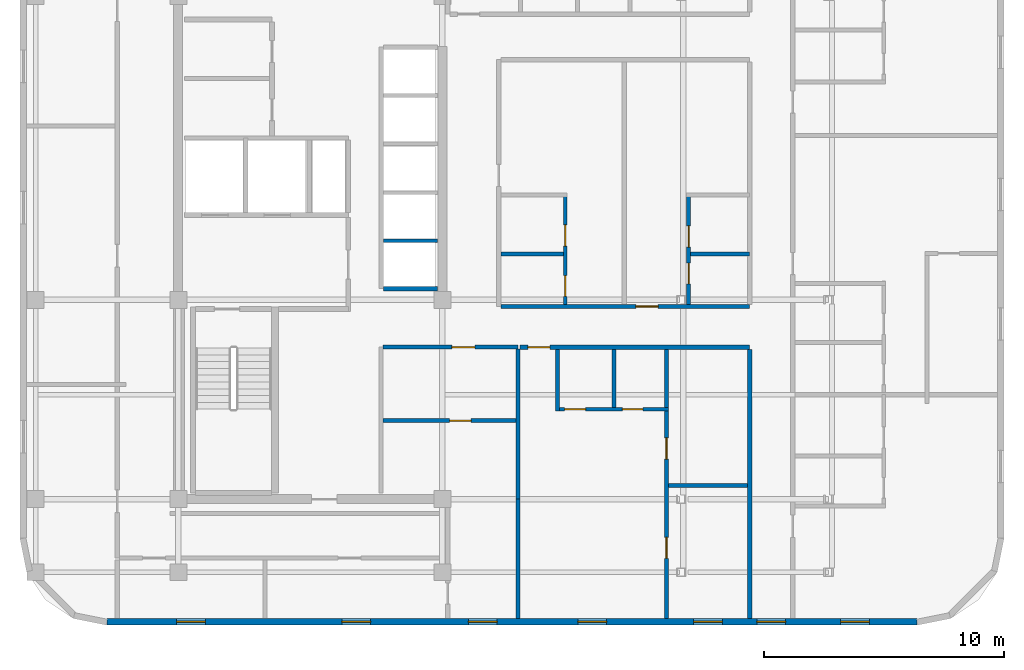
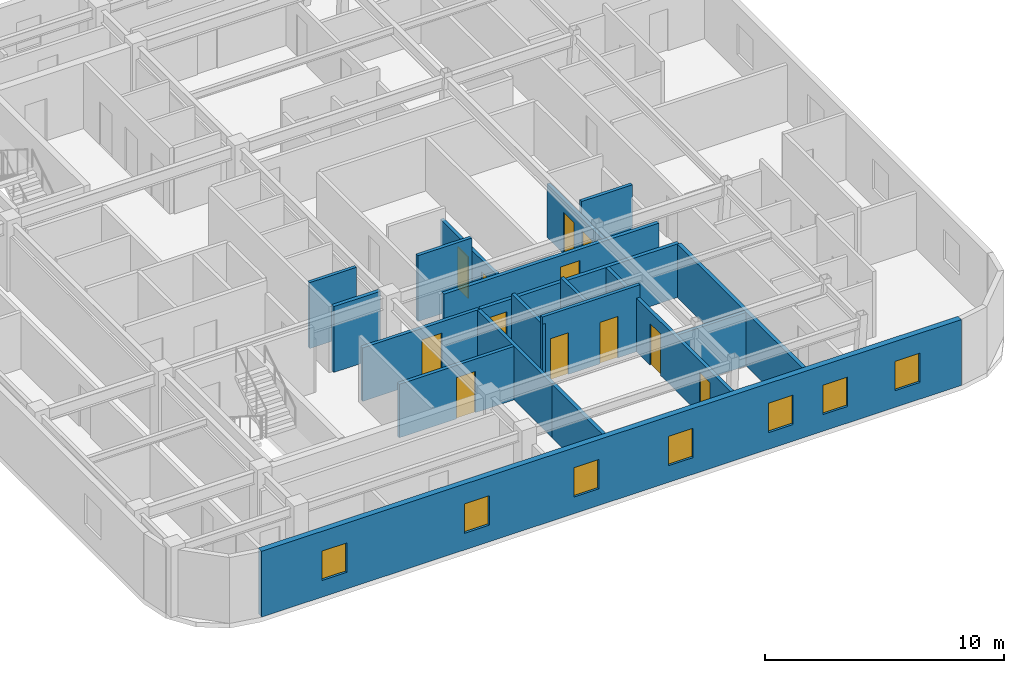
# One storey, part 3 of 8: 19 walls, 12 doors, 7 windows, 19 openings.
"""IFC4 building model written with IfcOpenShell, lengths in metres."""

from ifc_helpers import new_model, si_unit, direction, frame, frame_2d, origin, place, context, subcontext, project, spatial, rectangle, extrude, material, layer, layer_set, type_object, element, fill, save


model = new_model("IFC4")

# Units and contexts
model_context = context("Model", 3, precision=1e-05, world=origin(), true_north=direction((0.0, 1.0)))
body_context = subcontext(model_context, "Body", "Model", "MODEL_VIEW")
ifc_project = project(units=[si_unit("LENGTHUNIT", "METRE"), si_unit("AREAUNIT", "SQUARE_METRE"), si_unit("VOLUMEUNIT", "CUBIC_METRE"), si_unit("PLANEANGLEUNIT", "RADIAN"), si_unit("MASSUNIT", "GRAM", prefix="KILO")], contexts=[model_context])

# Site, building, storey
site_placement = place(None, origin())
site = spatial("IfcSite", under=ifc_project, at=site_placement, CompositionType="ELEMENT")
building_placement = place(site_placement, origin())
building = spatial("IfcBuilding", under=site, at=building_placement, Name="Ochreholt Gables", CompositionType="ELEMENT")
storey_placement = place(building_placement, frame((0.0, 0.0, 148.199951171875)))
storey = spatial("IfcBuildingStorey", under=building, at=storey_placement, Name="L38", CompositionType="ELEMENT", Elevation=148.199951171875)

# Wall, openings, windows
ifc_material_1 = material(Name="Precast concrete 40 MPa", Category="concrete")
ifc_layer_1 = layer(ifc_material_1, 0.280029296875, Name="Precast concrete 40 MPa")
ifc_layer_set_1 = layer_set([ifc_layer_1], Name="Precast concrete 40 MPa")
wall_type_1 = type_object("IfcWallType", Name="WALL-EXT-280", PredefinedType="SOLIDWALL", material=ifc_layer_set_1)
wall_1_placement = place(storey_placement, frame((21.219970703125, 4.139892578125, 0.0), z_axis=(0.0, 0.0, 1.0), x_axis=(1.0, 0.0, 0.0)))
wall_1 = element("IfcWall", 1, at=wall_1_placement, inside=storey, type_object=wall_type_1, Name="L38 South Exterior Wall", PredefinedType="SOLIDWALL", context=body_context, shape_type="SweptSolid", body=[
    extrude(rectangle(XDim=33.760009765625, YDim=0.280029296875, at=frame_2d((16.8798828125, 0.0))), origin(), (0.0, 0.0, 1.0), 3.360107421875),
])
opening_1_placement = place(wall_1_placement, frame((2.905029296875, 0.0, 0.85009765625)))
opening_1 = element("IfcOpeningElement", 2, at=opening_1_placement, cuts=wall_1, Name="Opening WN-3", PredefinedType="OPENING", context=body_context, shape_type="SweptSolid", body=[
    extrude(rectangle(XDim=1.199951171875, YDim=1.5, at=frame_2d((0.60009765625, 0.75))), frame((0.0, 0.14990234375, 0.0), z_axis=(0.0, -1.0, 0.0), x_axis=(1.0, 0.0, 0.0)), (0.0, 0.0, 1.0), 0.300048828125),
])
opening_2_placement = place(wall_1_placement, frame((9.7900390625, 0.0, 0.85009765625)))
opening_2 = element("IfcOpeningElement", 3, at=opening_2_placement, cuts=wall_1, Name="Opening WN-3", PredefinedType="OPENING", context=body_context, shape_type="SweptSolid", body=[
    extrude(rectangle(XDim=1.199951171875, YDim=1.5, at=frame_2d((0.60009765625, 0.75))), frame((0.0, 0.14990234375, 0.0), z_axis=(0.0, -1.0, 0.0), x_axis=(1.0, 0.0, 0.0)), (0.0, 0.0, 1.0), 0.300048828125),
])
opening_3_placement = place(wall_1_placement, frame((15.06494140625, 0.0, 0.85009765625)))
opening_3 = element("IfcOpeningElement", 4, at=opening_3_placement, cuts=wall_1, Name="Opening WN-3", PredefinedType="OPENING", context=body_context, shape_type="SweptSolid", body=[
    extrude(rectangle(XDim=1.199951171875, YDim=1.5, at=frame_2d((0.60009765625, 0.75))), frame((0.0, 0.14990234375, 0.0), z_axis=(0.0, -1.0, 0.0), x_axis=(1.0, 0.0, 0.0)), (0.0, 0.0, 1.0), 0.300048828125),
])
opening_4_placement = place(wall_1_placement, frame((19.625, 0.0, 0.85009765625)))
opening_4 = element("IfcOpeningElement", 5, at=opening_4_placement, cuts=wall_1, Name="Opening WN-3", PredefinedType="OPENING", context=body_context, shape_type="SweptSolid", body=[
    extrude(rectangle(XDim=1.199951171875, YDim=1.5, at=frame_2d((0.60009765625, 0.75))), frame((0.0, 0.14990234375, 0.0), z_axis=(0.0, -1.0, 0.0), x_axis=(1.0, 0.0, 0.0)), (0.0, 0.0, 1.0), 0.300048828125),
])
opening_5_placement = place(wall_1_placement, frame((24.449951171875, 0.0, 0.85009765625)))
opening_5 = element("IfcOpeningElement", 6, at=opening_5_placement, cuts=wall_1, Name="Opening WN-3", PredefinedType="OPENING", context=body_context, shape_type="SweptSolid", body=[
    extrude(rectangle(XDim=1.199951171875, YDim=1.5, at=frame_2d((0.60009765625, 0.75))), frame((0.0, 0.14990234375, 0.0), z_axis=(0.0, -1.0, 0.0), x_axis=(1.0, 0.0, 0.0)), (0.0, 0.0, 1.0), 0.300048828125),
])
opening_6_placement = place(wall_1_placement, frame((27.080078125, 0.0, 0.85009765625)))
opening_6 = element("IfcOpeningElement", 7, at=opening_6_placement, cuts=wall_1, Name="Opening WN-3", PredefinedType="OPENING", context=body_context, shape_type="SweptSolid", body=[
    extrude(rectangle(XDim=1.199951171875, YDim=1.5, at=frame_2d((0.60009765625, 0.75))), frame((0.0, 0.14990234375, 0.0), z_axis=(0.0, -1.0, 0.0), x_axis=(1.0, 0.0, 0.0)), (0.0, 0.0, 1.0), 0.300048828125),
])
opening_7_placement = place(wall_1_placement, frame((30.570068359375, 0.0, 0.85009765625)))
opening_7 = element("IfcOpeningElement", 8, at=opening_7_placement, cuts=wall_1, Name="Opening WN-3", PredefinedType="OPENING", context=body_context, shape_type="SweptSolid", body=[
    extrude(rectangle(XDim=1.199951171875, YDim=1.5, at=frame_2d((0.60009765625, 0.75))), frame((0.0, 0.14990234375, 0.0), z_axis=(0.0, -1.0, 0.0), x_axis=(1.0, 0.0, 0.0)), (0.0, 0.0, 1.0), 0.300048828125),
])
ifc_material_2 = material(Name="Triple-Glazed Thermally Broken Aluminium Window", Category="aluminium")
window_type = type_object("IfcWindowType", Name="WIN-RES-1200", PartitioningType="SINGLE_PANEL", PredefinedType="WINDOW", material=ifc_material_2)
window_1_placement = place(opening_1_placement, origin())
window_1 = element("IfcWindow", 9, at=window_1_placement, inside=storey, type_object=window_type, Name="L38 Window W-EXT-S-L38-1", OverallHeight=1.5, OverallWidth=1.199951171875, PartitioningType="SINGLE_PANEL", PredefinedType="WINDOW", context=body_context, shape_type="SweptSolid", body=[
    extrude(rectangle(XDim=1.199951171875, YDim=1.5, at=frame_2d((0.60009765625, 0.75))), frame((0.0, 0.030029296875, 0.0), z_axis=(0.0, -1.0, 0.0), x_axis=(1.0, 0.0, 0.0)), (0.0, 0.0, 1.0), 0.06005859375),
])
fill(opening_1, window_1)
window_2_placement = place(opening_2_placement, origin())
window_2 = element("IfcWindow", 10, at=window_2_placement, inside=storey, type_object=window_type, Name="L38 Window W-EXT-S-L38-2", OverallHeight=1.5, OverallWidth=1.199951171875, PartitioningType="SINGLE_PANEL", PredefinedType="WINDOW", context=body_context, shape_type="SweptSolid", body=[
    extrude(rectangle(XDim=1.199951171875, YDim=1.5, at=frame_2d((0.60009765625, 0.75))), frame((0.0, 0.030029296875, 0.0), z_axis=(0.0, -1.0, 0.0), x_axis=(1.0, 0.0, 0.0)), (0.0, 0.0, 1.0), 0.06005859375),
])
fill(opening_2, window_2)
window_3_placement = place(opening_3_placement, origin())
window_3 = element("IfcWindow", 11, at=window_3_placement, inside=storey, type_object=window_type, Name="L38 Window W-EXT-S-L38-3", OverallHeight=1.5, OverallWidth=1.199951171875, PartitioningType="SINGLE_PANEL", PredefinedType="WINDOW", context=body_context, shape_type="SweptSolid", body=[
    extrude(rectangle(XDim=1.199951171875, YDim=1.5, at=frame_2d((0.60009765625, 0.75))), frame((0.0, 0.030029296875, 0.0), z_axis=(0.0, -1.0, 0.0), x_axis=(1.0, 0.0, 0.0)), (0.0, 0.0, 1.0), 0.06005859375),
])
fill(opening_3, window_3)
window_4_placement = place(opening_4_placement, origin())
window_4 = element("IfcWindow", 12, at=window_4_placement, inside=storey, type_object=window_type, Name="L38 Window W-EXT-S-L38-4", OverallHeight=1.5, OverallWidth=1.199951171875, PartitioningType="SINGLE_PANEL", PredefinedType="WINDOW", context=body_context, shape_type="SweptSolid", body=[
    extrude(rectangle(XDim=1.199951171875, YDim=1.5, at=frame_2d((0.60009765625, 0.75))), frame((0.0, 0.030029296875, 0.0), z_axis=(0.0, -1.0, 0.0), x_axis=(1.0, 0.0, 0.0)), (0.0, 0.0, 1.0), 0.06005859375),
])
fill(opening_4, window_4)
window_5_placement = place(opening_5_placement, origin())
window_5 = element("IfcWindow", 13, at=window_5_placement, inside=storey, type_object=window_type, Name="L38 Window W-EXT-S-L38-5", OverallHeight=1.5, OverallWidth=1.199951171875, PartitioningType="SINGLE_PANEL", PredefinedType="WINDOW", context=body_context, shape_type="SweptSolid", body=[
    extrude(rectangle(XDim=1.199951171875, YDim=1.5, at=frame_2d((0.60009765625, 0.75))), frame((0.0, 0.030029296875, 0.0), z_axis=(0.0, -1.0, 0.0), x_axis=(1.0, 0.0, 0.0)), (0.0, 0.0, 1.0), 0.06005859375),
])
fill(opening_5, window_5)
window_6_placement = place(opening_6_placement, origin())
window_6 = element("IfcWindow", 14, at=window_6_placement, inside=storey, type_object=window_type, Name="L38 Window W-EXT-S-L38-6", OverallHeight=1.5, OverallWidth=1.199951171875, PartitioningType="SINGLE_PANEL", PredefinedType="WINDOW", context=body_context, shape_type="SweptSolid", body=[
    extrude(rectangle(XDim=1.199951171875, YDim=1.5, at=frame_2d((0.60009765625, 0.75))), frame((0.0, 0.030029296875, 0.0), z_axis=(0.0, -1.0, 0.0), x_axis=(1.0, 0.0, 0.0)), (0.0, 0.0, 1.0), 0.06005859375),
])
fill(opening_6, window_6)
window_7_placement = place(opening_7_placement, origin())
window_7 = element("IfcWindow", 15, at=window_7_placement, inside=storey, type_object=window_type, Name="L38 Window W-EXT-S-L38-7", OverallHeight=1.5, OverallWidth=1.199951171875, PartitioningType="SINGLE_PANEL", PredefinedType="WINDOW", context=body_context, shape_type="SweptSolid", body=[
    extrude(rectangle(XDim=1.199951171875, YDim=1.5, at=frame_2d((0.60009765625, 0.75))), frame((0.0, 0.030029296875, 0.0), z_axis=(0.0, -1.0, 0.0), x_axis=(1.0, 0.0, 0.0)), (0.0, 0.0, 1.0), 0.06005859375),
])
fill(opening_7, window_7)

# Wall, opening, door
ifc_material_3 = material(Name="Fire-Rated Gypsum Acoustic Partition", Category="gypsum")
ifc_layer_2 = layer(ifc_material_3, 0.179931640625, Name="Fire-Rated Gypsum Acoustic Partition")
ifc_layer_set_2 = layer_set([ifc_layer_2], Name="Fire-Rated Gypsum Acoustic Partition")
wall_type_2 = type_object("IfcWallType", Name="WALL-INT-CR180", PredefinedType="STANDARD", material=ifc_layer_set_2)
wall_2_placement = place(storey_placement, frame((38.4326171875, 15.580078125, 0.0), z_axis=(0.0, 0.0, 1.0), x_axis=(1.0, 0.0, 0.0)))
wall_2 = element("IfcWall", 16, at=wall_2_placement, inside=storey, type_object=wall_type_2, Name="L38 Interior Wall WI-C2SS1-L38", PredefinedType="STANDARD", context=body_context, shape_type="SweptSolid", body=[
    extrude(rectangle(XDim=9.5673828125, YDim=0.179931640625, at=frame_2d((4.78369140625, 0.0))), origin(), (0.0, 0.0, 1.0), 2.72998046875),
])
opening_8_placement = place(wall_2_placement, frame((0.327392578125, 0.0, 0.0)))
opening_8 = element("IfcOpeningElement", 17, at=opening_8_placement, cuts=wall_2, Name="Opening D-UN1", PredefinedType="OPENING", context=body_context, shape_type="SweptSolid", body=[
    extrude(rectangle(XDim=0.919921875, YDim=2.14990234375, at=frame_2d((0.4599609375, 1.074951171875))), frame((0.0, 0.099853515625, 0.0), z_axis=(0.0, -1.0, 0.0), x_axis=(1.0, 0.0, 0.0)), (0.0, 0.0, 1.0), 0.199951171875),
])
ifc_material_4 = material(Name="Engineered Oak Timber", Category="wood")
door_type_1 = type_object("IfcDoorType", Name="DR-INT-UNT920", OperationType="NOTDEFINED", PredefinedType="DOOR", material=ifc_material_4)
door_1_placement = place(opening_8_placement, origin())
door_1 = element("IfcDoor", 18, at=door_1_placement, inside=storey, type_object=door_type_1, Name="L38 Door D-U-L38S1-ENT", OperationType="SINGLE_SWING_RIGHT", OverallHeight=2.14990234375, OverallWidth=0.919921875, PredefinedType="DOOR", context=body_context, shape_type="SweptSolid", body=[
    extrude(rectangle(XDim=0.919921875, YDim=2.14990234375, at=frame_2d((0.4599609375, 1.074951171875))), frame((0.0, 0.02490234375, 0.0), z_axis=(0.0, -1.0, 0.0), x_axis=(1.0, 0.0, 0.0)), (0.0, 0.0, 1.0), 0.050048828125),
])
fill(opening_8, door_1)

wall_3_placement = place(storey_placement, frame((37.639892578125, 17.280029296875, 0.0), z_axis=(0.0, 0.0, 1.0), x_axis=(1.0, 0.0, 0.0)))
wall_3 = element("IfcWall", 19, at=wall_3_placement, inside=storey, type_object=wall_type_2, Name="L38 Interior Wall WI-C2SS2-L38", PredefinedType="STANDARD", context=body_context, shape_type="SweptSolid", body=[
    extrude(rectangle(XDim=10.360107421875, YDim=0.179931640625, at=frame_2d((5.18017578125, 0.0))), origin(), (0.0, 0.0, 1.0), 2.72998046875),
])
opening_9_placement = place(wall_3_placement, frame((5.625, 0.0, 0.0)))
opening_9 = element("IfcOpeningElement", 20, at=opening_9_placement, cuts=wall_3, Name="Opening D-UN1", PredefinedType="OPENING", context=body_context, shape_type="SweptSolid", body=[
    extrude(rectangle(XDim=0.919921875, YDim=2.14990234375, at=frame_2d((0.4599609375, 1.074951171875))), frame((0.0, 0.099853515625, 0.0), z_axis=(0.0, -1.0, 0.0), x_axis=(1.0, 0.0, 0.0)), (0.0, 0.0, 1.0), 0.199951171875),
])
door_2_placement = place(opening_9_placement, origin())
door_2 = element("IfcDoor", 21, at=door_2_placement, inside=storey, type_object=door_type_1, Name="L38 Door D-U-L38M2-ENT", OperationType="SINGLE_SWING_LEFT", OverallHeight=2.14990234375, OverallWidth=0.919921875, PredefinedType="DOOR", context=body_context, shape_type="SweptSolid", body=[
    extrude(rectangle(XDim=0.919921875, YDim=2.14990234375, at=frame_2d((0.4599609375, 1.074951171875))), frame((0.0, 0.02490234375, 0.0), z_axis=(0.0, -1.0, 0.0), x_axis=(1.0, 0.0, 0.0)), (0.0, 0.0, 1.0), 0.050048828125),
])
fill(opening_9, door_2)

# Walls
wall_4_placement = place(storey_placement, frame((48.0, 4.280029296875, 0.0), z_axis=(0.0, 0.0, 1.0), x_axis=(0.0, 1.0, 0.0)))
element("IfcWall", 22, at=wall_4_placement, inside=storey, type_object=wall_type_2, Name="L38 Interior Wall WI-C2FEGW1-L38", PredefinedType="STANDARD", context=body_context, shape_type="SweptSolid", body=[
    extrude(rectangle(XDim=11.2099609375, YDim=0.179931640625, at=frame_2d((5.60498046875, 0.0))), origin(), (0.0, 0.0, 1.0), 2.72998046875),
])
ifc_material_5 = material(Name="Double-Stud Acoustic Demising Wall", Category="gypsum")
ifc_layer_3 = layer(ifc_material_5, 0.179931640625, Name="Double-Stud Acoustic Demising Wall")
ifc_layer_set_3 = layer_set([ifc_layer_3], Name="Double-Stud Acoustic Demising Wall")
wall_type_3 = type_object("IfcWallType", Name="WALL-INT-DM180", PredefinedType="PARTITIONING", material=ifc_layer_set_3)
wall_5_placement = place(storey_placement, frame((38.35009765625, 4.280029296875, 0.0), z_axis=(0.0, 0.0, 1.0), x_axis=(0.0, 1.0, 0.0)))
element("IfcWall", 23, at=wall_5_placement, inside=storey, type_object=wall_type_3, Name="L38 Interior Wall WI-C2SEW2-L38", PredefinedType="PARTITIONING", context=body_context, shape_type="SweptSolid", body=[
    extrude(rectangle(XDim=4.969970703125, YDim=0.179931640625, at=frame_2d((2.48486328125, 0.0))), origin(), (0.0, 0.0, 1.0), 2.72998046875),
])

# Wall, openings, doors
ifc_material_6 = material(Name="Moisture-Resistant Plumbing Chase Wall", Category="gypsum")
ifc_layer_4 = layer(ifc_material_6, 0.159912109375, Name="Moisture-Resistant Plumbing Chase Wall")
ifc_layer_set_4 = layer_set([ifc_layer_4], Name="Moisture-Resistant Plumbing Chase Wall")
wall_type_4 = type_object("IfcWallType", Name="WALL-INT-PL160", PredefinedType="PLUMBINGWALL", material=ifc_layer_set_4)
wall_6_placement = place(storey_placement, frame((39.909912109375, 12.992431640625, 0.0), z_axis=(0.0, 0.0, 1.0), x_axis=(1.0, 0.0, 0.0)))
wall_6 = element("IfcWall", 24, at=wall_6_placement, inside=storey, type_object=wall_type_4, Name="L38 Interior Wall WU-L38S1-WY", PredefinedType="PLUMBINGWALL", context=body_context, shape_type="SweptSolid", body=[
    extrude(rectangle(XDim=4.710205078125, YDim=0.159912109375, at=frame_2d((2.35498046875, 0.0))), origin(), (0.0, 0.0, 1.0), 3.360107421875),
])
opening_10_placement = place(wall_6_placement, frame((0.3798828125, 0.0, 0.0)))
opening_10 = element("IfcOpeningElement", 25, at=opening_10_placement, cuts=wall_6, Name="Opening D-GN2", PredefinedType="OPENING", context=body_context, shape_type="SweptSolid", body=[
    extrude(rectangle(XDim=0.8798828125, YDim=2.1201171875, at=frame_2d((0.43994140625, 1.06005859375))), frame((0.0, 0.08984375, 0.0), z_axis=(0.0, -1.0, 0.0), x_axis=(1.0, 0.0, 0.0)), (0.0, 0.0, 1.0), 0.179931640625),
])
opening_11_placement = place(wall_6_placement, frame((2.785888671875, 0.0, 0.0)))
opening_11 = element("IfcOpeningElement", 26, at=opening_11_placement, cuts=wall_6, Name="Opening D-BT1", PredefinedType="OPENING", context=body_context, shape_type="SweptSolid", body=[
    extrude(rectangle(XDim=0.860107421875, YDim=2.1201171875, at=frame_2d((0.43017578125, 1.06005859375))), frame((0.0, 0.08984375, 0.0), z_axis=(0.0, -1.0, 0.0), x_axis=(1.0, 0.0, 0.0)), (0.0, 0.0, 1.0), 0.179931640625),
])
door_type_2 = type_object("IfcDoorType", Name="DR-INT-BTH860", OperationType="NOTDEFINED", PredefinedType="DOOR", material=ifc_material_4)
door_3_placement = place(opening_11_placement, origin())
door_3 = element("IfcDoor", 27, at=door_3_placement, inside=storey, type_object=door_type_2, Name="L38 Door D-U-L38S1-BTH", OperationType="SINGLE_SWING_RIGHT", OverallHeight=2.1201171875, OverallWidth=0.860107421875, PredefinedType="DOOR", context=body_context, shape_type="SweptSolid", body=[
    extrude(rectangle(XDim=0.860107421875, YDim=2.1201171875, at=frame_2d((0.43017578125, 1.06005859375))), frame((0.0, 0.02490234375, 0.0), z_axis=(0.0, -1.0, 0.0), x_axis=(1.0, 0.0, 0.0)), (0.0, 0.0, 1.0), 0.050048828125),
])
fill(opening_11, door_3)
door_type_3 = type_object("IfcDoorType", Name="DR-INT-GEN880", OperationType="NOTDEFINED", PredefinedType="DOOR", material=ifc_material_4)
door_4_placement = place(opening_10_placement, origin())
door_4 = element("IfcDoor", 28, at=door_4_placement, inside=storey, type_object=door_type_3, Name="L38 Door D-U-L38S1-KIT", OperationType="SINGLE_SWING_LEFT", OverallHeight=2.1201171875, OverallWidth=0.8798828125, PredefinedType="DOOR", context=body_context, shape_type="SweptSolid", body=[
    extrude(rectangle(XDim=0.8798828125, YDim=2.1201171875, at=frame_2d((0.43994140625, 1.06005859375))), frame((0.0, 0.02490234375, 0.0), z_axis=(0.0, -1.0, 0.0), x_axis=(1.0, 0.0, 0.0)), (0.0, 0.0, 1.0), 0.050048828125),
])
fill(opening_10, door_4)

# Walls
wall_7_placement = place(storey_placement, frame((39.989990234375, 12.91259765625, 0.0), z_axis=(0.0, 0.0, 1.0), x_axis=(0.0, 1.0, 0.0)))
element("IfcWall", 29, at=wall_7_placement, inside=storey, type_object=wall_type_4, Name="L38 Interior Wall WU-L38S1-FY", PredefinedType="PLUMBINGWALL", context=body_context, shape_type="SweptSolid", body=[
    extrude(rectangle(XDim=2.577392578125, YDim=0.159912109375, at=frame_2d((1.28857421875, 0.0))), origin(), (0.0, 0.0, 1.0), 2.984130859375),
])
wall_8_placement = place(storey_placement, frame((42.35595703125, 13.072509765625, 0.0), z_axis=(0.0, 0.0, 1.0), x_axis=(0.0, 1.0, 0.0)))
element("IfcWall", 30, at=wall_8_placement, inside=storey, type_object=wall_type_4, Name="L38 Interior Wall WU-L38S1-WK", PredefinedType="PLUMBINGWALL", context=body_context, shape_type="SweptSolid", body=[
    extrude(rectangle(XDim=2.41748046875, YDim=0.159912109375, at=frame_2d((1.208740234375, 0.0))), origin(), (0.0, 0.0, 1.0), 2.984130859375),
])

# Wall, openings, doors
wall_9_placement = place(storey_placement, frame((40.318115234375, 17.3701171875, 0.0), z_axis=(0.0, 0.0, 1.0), x_axis=(0.0, 1.0, 0.0)))
wall_9 = element("IfcWall", 31, at=wall_9_placement, inside=storey, type_object=wall_type_4, Name="L38 Interior Wall WU-L38M1-WX", PredefinedType="PLUMBINGWALL", context=body_context, shape_type="SweptSolid", body=[
    extrude(rectangle(XDim=4.639892578125, YDim=0.159912109375, at=frame_2d((2.31982421875, 0.0))), origin(), (0.0, 0.0, 1.0), 2.72998046875),
])
opening_12_placement = place(wall_9_placement, frame((0.330078125, 0.0, 0.0)))
opening_12 = element("IfcOpeningElement", 32, at=opening_12_placement, cuts=wall_9, Name="Opening D-BT1", PredefinedType="OPENING", context=body_context, shape_type="SweptSolid", body=[
    extrude(rectangle(XDim=0.860107421875, YDim=2.1201171875, at=frame_2d((0.43017578125, 1.06005859375))), frame((0.0, 0.08984375, 0.0), z_axis=(0.0, -1.0, 0.0), x_axis=(1.0, 0.0, 0.0)), (0.0, 0.0, 1.0), 0.179931640625),
])
opening_13_placement = place(wall_9_placement, frame((2.423095703125, 0.0, 0.0)))
opening_13 = element("IfcOpeningElement", 33, at=opening_13_placement, cuts=wall_9, Name="Opening D-GN2", PredefinedType="OPENING", context=body_context, shape_type="SweptSolid", body=[
    extrude(rectangle(XDim=0.8798828125, YDim=2.1201171875, at=frame_2d((0.43994140625, 1.06005859375))), frame((0.0, 0.08984375, 0.0), z_axis=(0.0, -1.0, 0.0), x_axis=(1.0, 0.0, 0.0)), (0.0, 0.0, 1.0), 0.179931640625),
])
door_5_placement = place(opening_12_placement, origin())
door_5 = element("IfcDoor", 34, at=door_5_placement, inside=storey, type_object=door_type_2, Name="L38 Door D-U-L38M1-BTH", OperationType="SINGLE_SWING_LEFT", OverallHeight=2.1201171875, OverallWidth=0.860107421875, PredefinedType="DOOR", context=body_context, shape_type="SweptSolid", body=[
    extrude(rectangle(XDim=0.860107421875, YDim=2.1201171875, at=frame_2d((0.43017578125, 1.06005859375))), frame((0.0, 0.02490234375, 0.0), z_axis=(0.0, -1.0, 0.0), x_axis=(1.0, 0.0, 0.0)), (0.0, 0.0, 1.0), 0.050048828125),
])
fill(opening_12, door_5)
door_6_placement = place(opening_13_placement, origin())
door_6 = element("IfcDoor", 35, at=door_6_placement, inside=storey, type_object=door_type_3, Name="L38 Door D-U-L38M1-KIT", OperationType="SINGLE_SWING_RIGHT", OverallHeight=2.1201171875, OverallWidth=0.8798828125, PredefinedType="DOOR", context=body_context, shape_type="SweptSolid", body=[
    extrude(rectangle(XDim=0.8798828125, YDim=2.1201171875, at=frame_2d((0.43994140625, 1.06005859375))), frame((0.0, 0.02490234375, 0.0), z_axis=(0.0, -1.0, 0.0), x_axis=(1.0, 0.0, 0.0)), (0.0, 0.0, 1.0), 0.050048828125),
])
fill(opening_13, door_6)

# Wall
wall_10_placement = place(storey_placement, frame((37.639892578125, 19.462890625, 0.0), z_axis=(0.0, 0.0, 1.0), x_axis=(1.0, 0.0, 0.0)))
element("IfcWall", 36, at=wall_10_placement, inside=storey, type_object=wall_type_4, Name="L38 Interior Wall WU-L38M1-WM", PredefinedType="PLUMBINGWALL", context=body_context, shape_type="SweptSolid", body=[
    extrude(rectangle(XDim=2.59814453125, YDim=0.159912109375, at=frame_2d((1.299072265625, 0.0))), origin(), (0.0, 0.0, 1.0), 3.360107421875),
])

# Wall, openings, doors
wall_11_placement = place(storey_placement, frame((45.4599609375, 17.3701171875, 0.0), z_axis=(0.0, 0.0, 1.0), x_axis=(0.0, 1.0, 0.0)))
wall_11 = element("IfcWall", 37, at=wall_11_placement, inside=storey, type_object=wall_type_4, Name="L38 Interior Wall WU-L38M2-WX", PredefinedType="PLUMBINGWALL", context=body_context, shape_type="SweptSolid", body=[
    extrude(rectangle(XDim=4.639892578125, YDim=0.159912109375, at=frame_2d((2.31982421875, 0.0))), origin(), (0.0, 0.0, 1.0), 2.72998046875),
])
opening_14_placement = place(wall_11_placement, frame((0.85009765625, 0.0, 0.0)))
opening_14 = element("IfcOpeningElement", 38, at=opening_14_placement, cuts=wall_11, Name="Opening D-BT1", PredefinedType="OPENING", context=body_context, shape_type="SweptSolid", body=[
    extrude(rectangle(XDim=0.860107421875, YDim=2.1201171875, at=frame_2d((0.43017578125, 1.06005859375))), frame((0.0, 0.08984375, 0.0), z_axis=(0.0, -1.0, 0.0), x_axis=(1.0, 0.0, 0.0)), (0.0, 0.0, 1.0), 0.179931640625),
])
opening_15_placement = place(wall_11_placement, frame((2.383056640625, 0.0, 0.0)))
opening_15 = element("IfcOpeningElement", 39, at=opening_15_placement, cuts=wall_11, Name="Opening D-GN2", PredefinedType="OPENING", context=body_context, shape_type="SweptSolid", body=[
    extrude(rectangle(XDim=0.8798828125, YDim=2.1201171875, at=frame_2d((0.43994140625, 1.06005859375))), frame((0.0, 0.08984375, 0.0), z_axis=(0.0, -1.0, 0.0), x_axis=(1.0, 0.0, 0.0)), (0.0, 0.0, 1.0), 0.179931640625),
])
door_7_placement = place(opening_14_placement, origin())
door_7 = element("IfcDoor", 40, at=door_7_placement, inside=storey, type_object=door_type_2, Name="L38 Door D-U-L38M2-BTH", OperationType="SINGLE_SWING_RIGHT", OverallHeight=2.1201171875, OverallWidth=0.860107421875, PredefinedType="DOOR", context=body_context, shape_type="SweptSolid", body=[
    extrude(rectangle(XDim=0.860107421875, YDim=2.1201171875, at=frame_2d((0.43017578125, 1.06005859375))), frame((0.0, 0.02490234375, 0.0), z_axis=(0.0, -1.0, 0.0), x_axis=(1.0, 0.0, 0.0)), (0.0, 0.0, 1.0), 0.050048828125),
])
fill(opening_14, door_7)
door_8_placement = place(opening_15_placement, origin())
door_8 = element("IfcDoor", 41, at=door_8_placement, inside=storey, type_object=door_type_3, Name="L38 Door D-U-L38M2-KIT", OperationType="SINGLE_SWING_LEFT", OverallHeight=2.1201171875, OverallWidth=0.8798828125, PredefinedType="DOOR", context=body_context, shape_type="SweptSolid", body=[
    extrude(rectangle(XDim=0.8798828125, YDim=2.1201171875, at=frame_2d((0.43994140625, 1.06005859375))), frame((0.0, 0.02490234375, 0.0), z_axis=(0.0, -1.0, 0.0), x_axis=(1.0, 0.0, 0.0)), (0.0, 0.0, 1.0), 0.050048828125),
])
fill(opening_15, door_8)

# Wall
wall_12_placement = place(storey_placement, frame((45.5400390625, 19.462890625, 0.0), z_axis=(0.0, 0.0, 1.0), x_axis=(1.0, 0.0, 0.0)))
element("IfcWall", 42, at=wall_12_placement, inside=storey, type_object=wall_type_4, Name="L38 Interior Wall WU-L38M2-WK", PredefinedType="PLUMBINGWALL", context=body_context, shape_type="SweptSolid", body=[
    extrude(rectangle(XDim=2.4599609375, YDim=0.159912109375, at=frame_2d((1.22998046875, 0.0))), origin(), (0.0, 0.0, 1.0), 3.360107421875),
])

# Wall, opening, door
ifc_material_7 = material(Name="Gypsum Acoustic Stud Partition", Category="gypsum")
ifc_layer_5 = layer(ifc_material_7, 0.1650390625, Name="Gypsum Acoustic Stud Partition")
ifc_layer_set_5 = layer_set([ifc_layer_5], Name="Gypsum Acoustic Stud Partition")
wall_type_5 = type_object("IfcWallType", Name="WALL-INT-PT165", PredefinedType="PARTITIONING", material=ifc_layer_set_5)
wall_13_placement = place(storey_placement, frame((32.732421875, 15.580078125, 0.0), z_axis=(0.0, 0.0, 1.0), x_axis=(1.0, 0.0, 0.0)))
wall_13 = element("IfcWall", 43, at=wall_13_placement, inside=storey, type_object=wall_type_5, Name="L38 Interior Wall WI-RCL-N-L38", PredefinedType="PARTITIONING", context=body_context, shape_type="SweptSolid", body=[
    extrude(rectangle(XDim=5.61767578125, YDim=0.1650390625, at=frame_2d((2.808837890625, 0.0))), origin(), (0.0, 0.0, 1.0), 2.72998046875),
])
opening_16_placement = place(wall_13_placement, frame((2.867431640625, 0.0, 0.0)))
opening_16 = element("IfcOpeningElement", 44, at=opening_16_placement, cuts=wall_13, Name="Opening D-GN1", PredefinedType="OPENING", context=body_context, shape_type="SweptSolid", body=[
    extrude(rectangle(XDim=0.949951171875, YDim=2.14990234375, at=frame_2d((0.47509765625, 1.074951171875))), frame((0.0, 0.092529296875, 0.0), z_axis=(0.0, -1.0, 0.0), x_axis=(1.0, 0.0, 0.0)), (0.0, 0.0, 1.0), 0.18505859375),
])
door_type_4 = type_object("IfcDoorType", Name="DR-INT-GEN950", OperationType="NOTDEFINED", PredefinedType="DOOR", material=ifc_material_4)
door_9_placement = place(opening_16_placement, origin())
door_9 = element("IfcDoor", 45, at=door_9_placement, inside=storey, type_object=door_type_4, Name="L38 Door D-RCL-L38", OperationType="SINGLE_SWING_LEFT", OverallHeight=2.14990234375, OverallWidth=0.949951171875, PredefinedType="DOOR", context=body_context, shape_type="SweptSolid", body=[
    extrude(rectangle(XDim=0.949951171875, YDim=2.14990234375, at=frame_2d((0.47509765625, 1.074951171875))), frame((0.0, 0.02490234375, 0.0), z_axis=(0.0, -1.0, 0.0), x_axis=(1.0, 0.0, 0.0)), (0.0, 0.0, 1.0), 0.050048828125),
])
fill(opening_16, door_9)

# Wall
wall_14_placement = place(storey_placement, frame((38.35009765625, 9.25, 0.0), z_axis=(0.0, 0.0, 1.0), x_axis=(0.0, 1.0, 0.0)))
element("IfcWall", 46, at=wall_14_placement, inside=storey, type_object=wall_type_5, Name="L38 Interior Wall WI-RCL-E-L38", PredefinedType="PARTITIONING", context=body_context, shape_type="SweptSolid", body=[
    extrude(rectangle(XDim=6.24755859375, YDim=0.1650390625, at=frame_2d((3.123779296875, 0.0))), origin(), (0.0, 0.0, 1.0), 2.72998046875),
])

# Wall, opening, door
wall_15_placement = place(storey_placement, frame((32.732421875, 12.52001953125, 0.0), z_axis=(0.0, 0.0, 1.0), x_axis=(1.0, 0.0, 0.0)))
wall_15 = element("IfcWall", 47, at=wall_15_placement, inside=storey, type_object=wall_type_5, Name="L38 Interior Wall WI-RCL-DV-L38", PredefinedType="PARTITIONING", context=body_context, shape_type="SweptSolid", body=[
    extrude(rectangle(XDim=5.53515625, YDim=0.1650390625, at=frame_2d((2.767578125, 0.0))), origin(), (0.0, 0.0, 1.0), 2.72998046875),
])
opening_17_placement = place(wall_15_placement, frame((2.767578125, 0.0, 0.0)))
opening_17 = element("IfcOpeningElement", 48, at=opening_17_placement, cuts=wall_15, Name="Opening D-SV1", PredefinedType="OPENING", context=body_context, shape_type="SweptSolid", body=[
    extrude(rectangle(XDim=0.89990234375, YDim=2.10009765625, at=frame_2d((0.449951171875, 1.050048828125))), frame((0.0, 0.092529296875, 0.0), z_axis=(0.0, -1.0, 0.0), x_axis=(1.0, 0.0, 0.0)), (0.0, 0.0, 1.0), 0.18505859375),
])
ifc_material_8 = material(Name="Hollow Metal Steel", Category="steel")
door_type_5 = type_object("IfcDoorType", Name="DR-INT-SRV900", OperationType="NOTDEFINED", PredefinedType="DOOR", material=ifc_material_8)
door_10_placement = place(opening_17_placement, origin())
door_10 = element("IfcDoor", 49, at=door_10_placement, inside=storey, type_object=door_type_5, Name="L38 Door D-RCLI-L38", OperationType="SINGLE_SWING_RIGHT", OverallHeight=2.10009765625, OverallWidth=0.89990234375, PredefinedType="DOOR", context=body_context, shape_type="SweptSolid", body=[
    extrude(rectangle(XDim=0.89990234375, YDim=2.10009765625, at=frame_2d((0.449951171875, 1.050048828125))), frame((0.0, 0.02490234375, 0.0), z_axis=(0.0, -1.0, 0.0), x_axis=(1.0, 0.0, 0.0)), (0.0, 0.0, 1.0), 0.050048828125),
])
fill(opening_17, door_10)

# Wall, openings, doors
wall_16_placement = place(storey_placement, frame((44.5400390625, 4.280029296875, 0.0), z_axis=(0.0, 0.0, 1.0), x_axis=(0.0, 1.0, 0.0)))
wall_16 = element("IfcWall", 50, at=wall_16_placement, inside=storey, type_object=wall_type_5, Name="L38 Interior Wall WU-L38S1-MNX", PredefinedType="PARTITIONING", context=body_context, shape_type="SweptSolid", body=[
    extrude(rectangle(XDim=11.2099609375, YDim=0.1650390625, at=frame_2d((5.60498046875, 0.0))), origin(), (0.0, 0.0, 1.0), 2.72998046875),
])
opening_18_placement = place(wall_16_placement, frame((2.5, 0.0, 0.0)))
opening_18 = element("IfcOpeningElement", 51, at=opening_18_placement, cuts=wall_16, Name="Opening D-BD2", PredefinedType="OPENING", context=body_context, shape_type="SweptSolid", body=[
    extrude(rectangle(XDim=0.8798828125, YDim=2.139892578125, at=frame_2d((0.43994140625, 1.06982421875))), frame((0.0, 0.092529296875, 0.0), z_axis=(0.0, -1.0, 0.0), x_axis=(1.0, 0.0, 0.0)), (0.0, 0.0, 1.0), 0.18505859375),
])
opening_19_placement = place(wall_16_placement, frame((6.641357421875, 0.0, 0.0)))
opening_19 = element("IfcOpeningElement", 52, at=opening_19_placement, cuts=wall_16, Name="Opening D-GN2", PredefinedType="OPENING", context=body_context, shape_type="SweptSolid", body=[
    extrude(rectangle(XDim=0.8798828125, YDim=2.1201171875, at=frame_2d((0.43994140625, 1.06005859375))), frame((0.0, 0.092529296875, 0.0), z_axis=(0.0, -1.0, 0.0), x_axis=(1.0, 0.0, 0.0)), (0.0, 0.0, 1.0), 0.18505859375),
])
door_type_6 = type_object("IfcDoorType", Name="DR-INT-BED880", OperationType="NOTDEFINED", PredefinedType="DOOR", material=ifc_material_4)
door_11_placement = place(opening_18_placement, origin())
door_11 = element("IfcDoor", 53, at=door_11_placement, inside=storey, type_object=door_type_6, Name="L38 Door D-U-L38S1-BD1", OperationType="SINGLE_SWING_RIGHT", OverallHeight=2.139892578125, OverallWidth=0.8798828125, PredefinedType="DOOR", context=body_context, shape_type="SweptSolid", body=[
    extrude(rectangle(XDim=0.8798828125, YDim=2.139892578125, at=frame_2d((0.43994140625, 1.06982421875))), frame((0.0, 0.02490234375, 0.0), z_axis=(0.0, -1.0, 0.0), x_axis=(1.0, 0.0, 0.0)), (0.0, 0.0, 1.0), 0.050048828125),
])
fill(opening_18, door_11)
door_12_placement = place(opening_19_placement, origin())
door_12 = element("IfcDoor", 54, at=door_12_placement, inside=storey, type_object=door_type_3, Name="L38 Door D-U-L38S1-BD2", OperationType="SINGLE_SWING_LEFT", OverallHeight=2.1201171875, OverallWidth=0.8798828125, PredefinedType="DOOR", context=body_context, shape_type="SweptSolid", body=[
    extrude(rectangle(XDim=0.8798828125, YDim=2.1201171875, at=frame_2d((0.43994140625, 1.06005859375))), frame((0.0, 0.02490234375, 0.0), z_axis=(0.0, -1.0, 0.0), x_axis=(1.0, 0.0, 0.0)), (0.0, 0.0, 1.0), 0.050048828125),
])
fill(opening_19, door_12)

# Walls
wall_17_placement = place(storey_placement, frame((44.6201171875, 9.820068359375, 0.0), z_axis=(0.0, 0.0, 1.0), x_axis=(1.0, 0.0, 0.0)))
element("IfcWall", 55, at=wall_17_placement, inside=storey, type_object=wall_type_5, Name="L38 Interior Wall WU-L38S1-RDV", PredefinedType="PARTITIONING", context=body_context, shape_type="SweptSolid", body=[
    extrude(rectangle(XDim=3.289794921875, YDim=0.1650390625, at=frame_2d((1.64501953125, 0.0))), origin(), (0.0, 0.0, 1.0), 2.72998046875),
])
ifc_material_9 = material(Name="Gypsum Shaftliner and Steel Stud", Category="steel")
ifc_layer_6 = layer(ifc_material_9, 0.14990234375, Name="Gypsum Shaftliner and Steel Stud")
ifc_layer_set_6 = layer_set([ifc_layer_6], Name="Gypsum Shaftliner and Steel Stud")
wall_type_6 = type_object("IfcWallType", Name="WALL-INT-SH150", PredefinedType="STANDARD", material=ifc_layer_set_6)
wall_18_placement = place(storey_placement, frame((32.739990234375, 20.02001953125, 0.0), z_axis=(0.0, 0.0, 1.0), x_axis=(1.0, 0.0, 0.0)))
element("IfcWall", 56, at=wall_18_placement, inside=storey, type_object=wall_type_6, Name="L38 Interior Wall WI-LFHE-DH1-L38", PredefinedType="STANDARD", context=body_context, shape_type="SweptSolid", body=[
    extrude(rectangle(XDim=2.260009765625, YDim=0.14990234375, at=frame_2d((1.1298828125, 0.0))), origin(), (0.0, 0.0, 1.0), 3.360107421875),
])
ifc_layer_7 = layer(ifc_material_9, 0.179931640625, Name="Gypsum Shaftliner and Steel Stud")
ifc_layer_set_7 = layer_set([ifc_layer_7], Name="Gypsum Shaftliner and Steel Stud")
wall_type_7 = type_object("IfcWallType", Name="WALL-INT-SH180", PredefinedType="STANDARD", material=ifc_layer_set_7)
wall_19_placement = place(storey_placement, frame((32.739990234375, 18.02001953125, 0.0), z_axis=(0.0, 0.0, 1.0), x_axis=(1.0, 0.0, 0.0)))
element("IfcWall", 57, at=wall_19_placement, inside=storey, type_object=wall_type_7, Name="L38 Interior Wall WI-LFHE-S-L38", PredefinedType="STANDARD", context=body_context, shape_type="SweptSolid", body=[
    extrude(rectangle(XDim=2.260009765625, YDim=0.179931640625, at=frame_2d((1.1298828125, 0.0))), origin(), (0.0, 0.0, 1.0), 3.360107421875),
])

save(model, "model.ifc")
